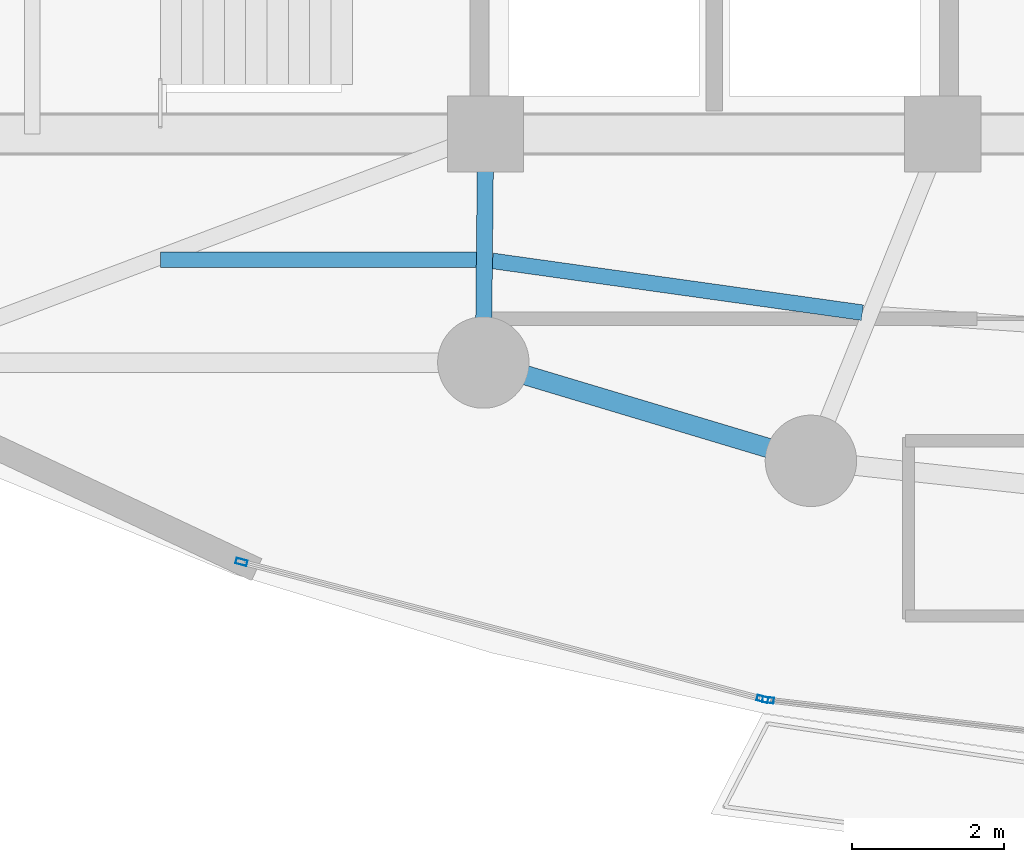
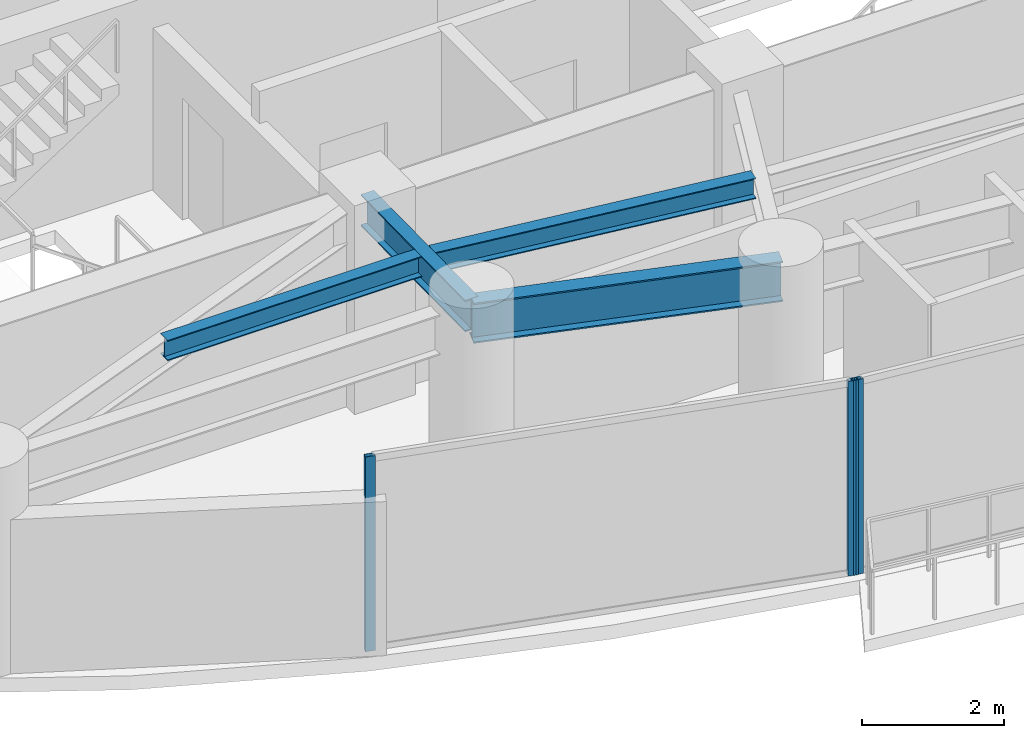
# One storey, part 5 of 34: 4 beams, 3 members, 2 elements without a shape of their own.
"""IFC4 building model written with IfcOpenShell, lengths in metres."""

from ifc_helpers import new_model, si_unit, direction, frame, origin, origin_2d, place, context, subcontext, project, spatial, hollow_rectangle, i_section, extrude, material, layer, layer_set, material_profile, profile_set, type_object, element, aggregate, save


model = new_model("IFC4")

# Units and contexts
model_context = context("Model", 3, precision=1e-05, world=origin(), true_north=direction((0.0, 1.0)))
body_context = subcontext(model_context, "Body", "Model", "MODEL_VIEW")
ifc_project = project(units=[si_unit("LENGTHUNIT", "METRE"), si_unit("AREAUNIT", "SQUARE_METRE"), si_unit("VOLUMEUNIT", "CUBIC_METRE"), si_unit("PLANEANGLEUNIT", "RADIAN"), si_unit("MASSUNIT", "GRAM", prefix="KILO")], contexts=[model_context])

# Site, building, storey
site_placement = place(None, origin())
site = spatial("IfcSite", under=ifc_project, at=site_placement, CompositionType="ELEMENT")
building_placement = place(site_placement, origin())
building = spatial("IfcBuilding", under=site, at=building_placement, Name="Kazevale Care Tower and Concert Hall", CompositionType="ELEMENT")
storey_placement = place(building_placement, frame((0.0, 0.0, 160.199951171875)))
storey = spatial("IfcBuildingStorey", under=building, at=storey_placement, Name="L42", CompositionType="ELEMENT", Elevation=160.199951171875)

# Curtain wall, member
ifc_material_1 = material(Name="Aluminium 6063-T6 and Low-E Glass", Category="aluminium")
ifc_layer = layer(ifc_material_1, 0.179931640625)
ifc_layer_set = layer_set([ifc_layer], Name="Aluminium 6063-T6 and Low-E Glass")
curtain_wall_type = type_object("IfcCurtainWallType", Name="Sheltered Concave Balcony Curtain Wall CW-5", PredefinedType="NOTDEFINED", material=ifc_layer_set)
curtain_wall_1_placement = place(storey_placement, origin())
curtain_wall_1 = element("IfcCurtainWall", 1, at=curtain_wall_1_placement, inside=storey, type_object=curtain_wall_type, Name="cw:L42:f07", PredefinedType="NOTDEFINED")
ifc_material_2 = material(Name="Aluminium 6063-T6", Category="aluminium")
ifc_material_profile_1 = material_profile(ifc_material_2, hollow_rectangle(XDim=0.074951171875, YDim=0.14990234375, WallThickness=0.00390625, at=origin_2d()), Name="ALU75x150x4")
ifc_profile_set_1 = profile_set([ifc_material_profile_1], Name="Aluminium 6063-T6")
member_type = type_object("IfcMemberType", Name="CW-5 Mullion ALU75x150x4", PredefinedType="MULLION", material=ifc_profile_set_1)
member_1_placement = place(storey_placement, frame((33.708251953125, 16.169677734375, 0.0), z_axis=(0.0, 0.0, 1.0), x_axis=(-0.117372179238, -0.993087997884, 0.0)))
member_1 = element("IfcMember", 2, at=member_1_placement, type_object=member_type, Name="CW-5 mullion 2", PredefinedType="MULLION", context=body_context, shape_type="SweptSolid", body=[
    extrude(hollow_rectangle(XDim=0.074951171875, YDim=0.14990234375, WallThickness=0.00390625, at=origin_2d()), origin(), (0.0, 0.0, 1.0), 3.360107421875),
])
aggregate(curtain_wall_1, [member_1])

# Curtain wall, members
curtain_wall_2_placement = place(storey_placement, origin())
curtain_wall_2 = element("IfcCurtainWall", 3, at=curtain_wall_2_placement, inside=storey, type_object=curtain_wall_type, Name="cw:L42:f08", PredefinedType="NOTDEFINED")
member_2_placement = place(storey_placement, frame((33.634765625, 16.18359375, 0.0), z_axis=(0.0, 0.0, 1.0), x_axis=(-0.254238458229, -0.967141564797, 0.0)))
member_2 = element("IfcMember", 4, at=member_2_placement, type_object=member_type, Name="CW-5 mullion 1", PredefinedType="MULLION", context=body_context, shape_type="SweptSolid", body=[
    extrude(hollow_rectangle(XDim=0.074951171875, YDim=0.14990234375, WallThickness=0.00390625, at=origin_2d()), origin(), (0.0, 0.0, 1.0), 3.360107421875),
])
member_3_placement = place(storey_placement, frame((26.795166015625, 17.9814453125, 0.0), z_axis=(0.0, 0.0, 1.0), x_axis=(-0.254238458229, -0.967141564797, 0.0)))
member_3 = element("IfcMember", 5, at=member_3_placement, type_object=member_type, Name="CW-5 mullion 2", PredefinedType="MULLION", context=body_context, shape_type="SweptSolid", body=[
    extrude(hollow_rectangle(XDim=0.074951171875, YDim=0.14990234375, WallThickness=0.00390625, at=origin_2d()), origin(), (0.0, 0.0, 1.0), 3.360107421875),
])
aggregate(curtain_wall_2, [member_2, member_3])

# Beams
ifc_material_3 = material(Name="Steel ASTM A572 Gr 50", Category="steel")
ifc_material_profile_2 = material_profile(ifc_material_3, i_section(OverallWidth=0.2119140625, OverallDepth=0.5439453125, WebThickness=0.01318359375, FlangeThickness=0.021240234375, at=origin_2d()), Name="W530x123")
ifc_profile_set_2 = profile_set([ifc_material_profile_2], Name="Steel ASTM A572 Gr 50")
beam_type_1 = type_object("IfcBeamType", Name="Radial Floor Girder W530x123", PredefinedType="BEAM", material=ifc_profile_set_2)
beam_1_placement = place(storey_placement, frame((30.0, 23.60009765625, 3.088134765625), z_axis=(-0.010009264196, -0.99994990606, 0.0), x_axis=(0.99994990606, -0.010009264196, 0.0)))
element("IfcBeam", 6, at=beam_1_placement, inside=storey, type_object=beam_type_1, Name="beam:L42:rad:11", PredefinedType="BEAM", context=body_context, shape_type="SweptSolid", body=[
    extrude(i_section(OverallWidth=0.2119140625, OverallDepth=0.5439453125, WebThickness=0.01318359375, FlangeThickness=0.021240234375, at=origin_2d()), origin(), (0.0, 0.0, 1.0), 3.000244140625),
])
ifc_material_profile_3 = material_profile(ifc_material_3, i_section(OverallWidth=0.205078125, OverallDepth=0.35400390625, WebThickness=0.009521484375, FlangeThickness=0.016845703125, at=origin_2d()), Name="W360x79")
ifc_profile_set_3 = profile_set([ifc_material_profile_3], Name="Steel ASTM A572 Gr 50")
beam_type_2 = type_object("IfcBeamType", Name="Secondary Floor Joist W360x79", PredefinedType="JOIST", material=ifc_profile_set_3)
beam_2_placement = place(storey_placement, frame((25.73291015625, 21.949951171875, 3.18310546875), z_axis=(1.0, 0.0, 0.0), x_axis=(0.0, 1.0, 0.0)))
element("IfcBeam", 7, at=beam_2_placement, inside=storey, type_object=beam_type_2, Name="beam:L42:joist:10", PredefinedType="JOIST", context=body_context, shape_type="SweptSolid", body=[
    extrude(i_section(OverallWidth=0.205078125, OverallDepth=0.35400390625, WebThickness=0.009521484375, FlangeThickness=0.016845703125, at=origin_2d()), origin(), (0.0, 0.0, 1.0), 4.14501953125),
])
beam_3_placement = place(storey_placement, frame((30.0869140625, 21.93505859375, 3.18310546875), z_axis=(0.990340789942, -0.138654678164, 0.0), x_axis=(0.138654678164, 0.990340789942, 0.0)))
element("IfcBeam", 8, at=beam_3_placement, inside=storey, type_object=beam_type_2, Name="beam:L42:joist:11", PredefinedType="JOIST", context=body_context, shape_type="SweptSolid", body=[
    extrude(i_section(OverallWidth=0.205078125, OverallDepth=0.35400390625, WebThickness=0.009521484375, FlangeThickness=0.016845703125, at=origin_2d()), origin(), (0.0, 0.0, 1.0), 4.905517578125),
])
ifc_material_profile_4 = material_profile(ifc_material_3, i_section(OverallWidth=0.256103515625, OverallDepth=0.693115234375, WebThickness=0.014404296875, FlangeThickness=0.023681640625, at=origin_2d()), Name="W690x170")
ifc_profile_set_4 = profile_set([ifc_material_profile_4], Name="Steel ASTM A572 Gr 50")
beam_type_3 = type_object("IfcBeamType", Name="Waist Ring Beam W690x170", PredefinedType="BEAM", material=ifc_profile_set_4)
beam_4_placement = place(storey_placement, frame((29.969970703125, 20.60009765625, 3.013427734375), z_axis=(0.957824788464, -0.287352874709, 0.0), x_axis=(0.287352874709, 0.957824788464, 0.0)))
element("IfcBeam", 9, at=beam_4_placement, inside=storey, type_object=beam_type_3, Name="beam:L42:ring:11", PredefinedType="BEAM", context=body_context, shape_type="SweptSolid", body=[
    extrude(i_section(OverallWidth=0.256103515625, OverallDepth=0.693115234375, WebThickness=0.014404296875, FlangeThickness=0.023681640625, at=origin_2d()), origin(), (0.0, 0.0, 1.0), 4.489501953125),
])

save(model, "model.ifc")
